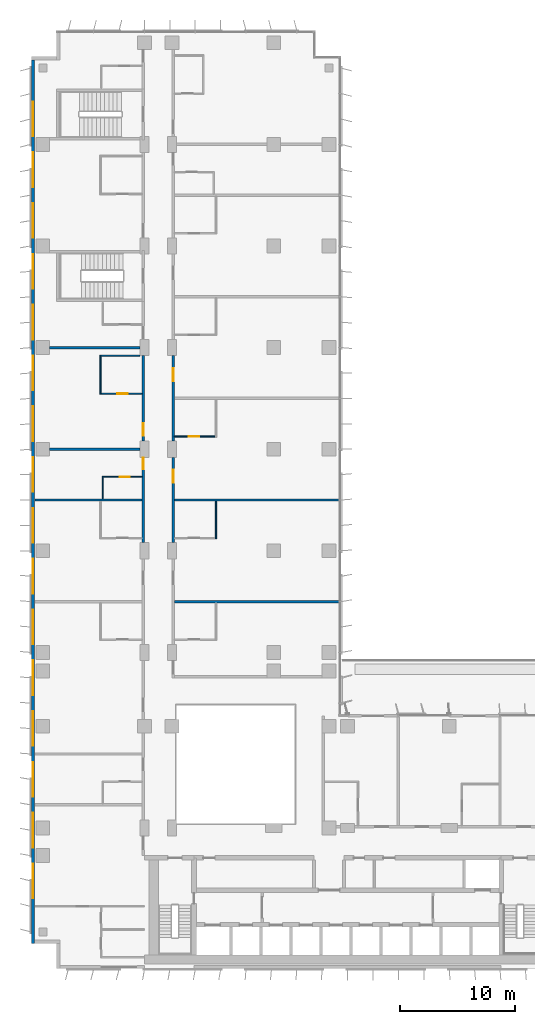
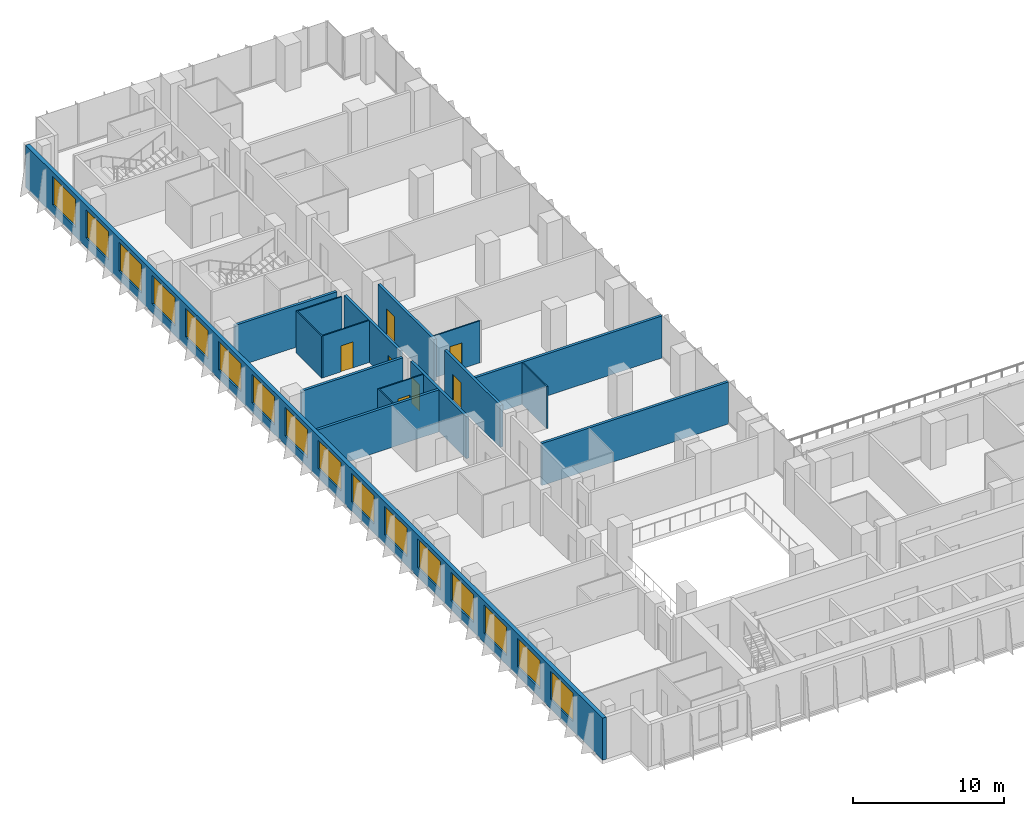
# One storey, part 18 of 27: 17 walls, 16 windows, 7 doors, 23 openings.
"""IFC4 building model written with IfcOpenShell, lengths in metres."""

from ifc_helpers import new_model, si_unit, direction, frame, frame_2d, origin, place, context, subcontext, project, spatial, rectangle, extrude, material, layer, layer_set, type_object, element, fill, save


model = new_model("IFC4")

# Units and contexts
model_context = context("Model", 3, precision=1e-05, world=origin(), true_north=direction((0.0, 1.0)))
body_context = subcontext(model_context, "Body", "Model", "MODEL_VIEW")
ifc_project = project(units=[si_unit("LENGTHUNIT", "METRE"), si_unit("AREAUNIT", "SQUARE_METRE"), si_unit("VOLUMEUNIT", "CUBIC_METRE"), si_unit("PLANEANGLEUNIT", "RADIAN"), si_unit("MASSUNIT", "GRAM", prefix="KILO")], contexts=[model_context])

# Site, building, storey
site_placement = place(None, origin())
site = spatial("IfcSite", under=ifc_project, at=site_placement, CompositionType="ELEMENT")
building_placement = place(site_placement, origin())
building = spatial("IfcBuilding", under=site, at=building_placement, Name="Kemantara Hotel Tower", CompositionType="ELEMENT")
storey_placement = place(building_placement, frame((0.0, 0.0, 83.39990234375)))
storey = spatial("IfcBuildingStorey", under=building, at=storey_placement, Name="L19", CompositionType="ELEMENT", Elevation=83.39990234375)

# Wall, openings, windows
ifc_material_1 = material(Name="Bronze anodised aluminium cladding on insulated steel stud wall", Category="steel")
ifc_layer_1 = layer(ifc_material_1, 0.300048828125)
ifc_layer_set_1 = layer_set([ifc_layer_1], Name="Bronze anodised aluminium cladding on insulated steel stud wall")
wall_type_1 = type_object("IfcWallType", Name="BRONZE METAL-CLAD EXTERNAL WALL 300", PredefinedType="STANDARD", material=ifc_layer_set_1)
wall_1_placement = place(storey_placement, frame((0.14990234375, 78.699951171875, 0.0), z_axis=(0.0, 0.0, 1.0), x_axis=(0.0, -1.0, 0.0)))
wall_1 = element("IfcWall", 1, at=wall_1_placement, inside=storey, type_object=wall_type_1, Name="EXTERNAL WALL L19 T2-R04", PredefinedType="STANDARD", context=body_context, shape_type="SweptSolid", body=[
    extrude(rectangle(XDim=76.5, YDim=0.300048828125, at=frame_2d((38.25, 0.0))), origin(), (0.0, 0.0, 1.0), 3.400146484375),
])
opening_1_placement = place(wall_1_placement, frame((3.60009765625, 0.0, 0.75)))
opening_1 = element("IfcOpeningElement", 2, at=opening_1_placement, cuts=wall_1, Name="Opening W1", PredefinedType="OPENING", context=body_context, shape_type="SweptSolid", body=[
    extrude(rectangle(XDim=3.0, YDim=2.300048828125, at=frame_2d((1.5, 1.14990234375))), frame((0.0, 0.159912109375, 0.0), z_axis=(0.0, -1.0, 0.0), x_axis=(1.0, 0.0, 0.0)), (0.0, 0.0, 1.0), 0.320068359375),
])
opening_2_placement = place(wall_1_placement, frame((8.0, 0.0, 0.75)))
opening_2 = element("IfcOpeningElement", 3, at=opening_2_placement, cuts=wall_1, Name="Opening W1", PredefinedType="OPENING", context=body_context, shape_type="SweptSolid", body=[
    extrude(rectangle(XDim=3.0, YDim=2.300048828125, at=frame_2d((1.5, 1.14990234375))), frame((0.0, 0.159912109375, 0.0), z_axis=(0.0, -1.0, 0.0), x_axis=(1.0, 0.0, 0.0)), (0.0, 0.0, 1.0), 0.320068359375),
])
opening_3_placement = place(wall_1_placement, frame((12.39990234375, 0.0, 0.75)))
opening_3 = element("IfcOpeningElement", 4, at=opening_3_placement, cuts=wall_1, Name="Opening W1", PredefinedType="OPENING", context=body_context, shape_type="SweptSolid", body=[
    extrude(rectangle(XDim=3.0, YDim=2.300048828125, at=frame_2d((1.5, 1.14990234375))), frame((0.0, 0.159912109375, 0.0), z_axis=(0.0, -1.0, 0.0), x_axis=(1.0, 0.0, 0.0)), (0.0, 0.0, 1.0), 0.320068359375),
])
opening_4_placement = place(wall_1_placement, frame((16.800048828125, 0.0, 0.75)))
opening_4 = element("IfcOpeningElement", 5, at=opening_4_placement, cuts=wall_1, Name="Opening W1", PredefinedType="OPENING", context=body_context, shape_type="SweptSolid", body=[
    extrude(rectangle(XDim=3.0, YDim=2.300048828125, at=frame_2d((1.5, 1.14990234375))), frame((0.0, 0.159912109375, 0.0), z_axis=(0.0, -1.0, 0.0), x_axis=(1.0, 0.0, 0.0)), (0.0, 0.0, 1.0), 0.320068359375),
])
opening_5_placement = place(wall_1_placement, frame((21.199951171875, 0.0, 0.75)))
opening_5 = element("IfcOpeningElement", 6, at=opening_5_placement, cuts=wall_1, Name="Opening W1", PredefinedType="OPENING", context=body_context, shape_type="SweptSolid", body=[
    extrude(rectangle(XDim=3.0, YDim=2.300048828125, at=frame_2d((1.5, 1.14990234375))), frame((0.0, 0.159912109375, 0.0), z_axis=(0.0, -1.0, 0.0), x_axis=(1.0, 0.0, 0.0)), (0.0, 0.0, 1.0), 0.320068359375),
])
opening_6_placement = place(wall_1_placement, frame((25.60009765625, 0.0, 0.75)))
opening_6 = element("IfcOpeningElement", 7, at=opening_6_placement, cuts=wall_1, Name="Opening W1", PredefinedType="OPENING", context=body_context, shape_type="SweptSolid", body=[
    extrude(rectangle(XDim=3.0, YDim=2.300048828125, at=frame_2d((1.5, 1.14990234375))), frame((0.0, 0.159912109375, 0.0), z_axis=(0.0, -1.0, 0.0), x_axis=(1.0, 0.0, 0.0)), (0.0, 0.0, 1.0), 0.320068359375),
])
opening_7_placement = place(wall_1_placement, frame((30.0, 0.0, 0.75)))
opening_7 = element("IfcOpeningElement", 8, at=opening_7_placement, cuts=wall_1, Name="Opening W1", PredefinedType="OPENING", context=body_context, shape_type="SweptSolid", body=[
    extrude(rectangle(XDim=3.0, YDim=2.300048828125, at=frame_2d((1.5, 1.14990234375))), frame((0.0, 0.159912109375, 0.0), z_axis=(0.0, -1.0, 0.0), x_axis=(1.0, 0.0, 0.0)), (0.0, 0.0, 1.0), 0.320068359375),
])
opening_8_placement = place(wall_1_placement, frame((34.39990234375, 0.0, 0.75)))
opening_8 = element("IfcOpeningElement", 9, at=opening_8_placement, cuts=wall_1, Name="Opening W1", PredefinedType="OPENING", context=body_context, shape_type="SweptSolid", body=[
    extrude(rectangle(XDim=3.0, YDim=2.300048828125, at=frame_2d((1.5, 1.14990234375))), frame((0.0, 0.159912109375, 0.0), z_axis=(0.0, -1.0, 0.0), x_axis=(1.0, 0.0, 0.0)), (0.0, 0.0, 1.0), 0.320068359375),
])
opening_9_placement = place(wall_1_placement, frame((38.800048828125, 0.0, 0.75)))
opening_9 = element("IfcOpeningElement", 10, at=opening_9_placement, cuts=wall_1, Name="Opening W1", PredefinedType="OPENING", context=body_context, shape_type="SweptSolid", body=[
    extrude(rectangle(XDim=3.0, YDim=2.300048828125, at=frame_2d((1.5, 1.14990234375))), frame((0.0, 0.159912109375, 0.0), z_axis=(0.0, -1.0, 0.0), x_axis=(1.0, 0.0, 0.0)), (0.0, 0.0, 1.0), 0.320068359375),
])
opening_10_placement = place(wall_1_placement, frame((43.199951171875, 0.0, 0.75)))
opening_10 = element("IfcOpeningElement", 11, at=opening_10_placement, cuts=wall_1, Name="Opening W1", PredefinedType="OPENING", context=body_context, shape_type="SweptSolid", body=[
    extrude(rectangle(XDim=3.0, YDim=2.300048828125, at=frame_2d((1.5, 1.14990234375))), frame((0.0, 0.159912109375, 0.0), z_axis=(0.0, -1.0, 0.0), x_axis=(1.0, 0.0, 0.0)), (0.0, 0.0, 1.0), 0.320068359375),
])
opening_11_placement = place(wall_1_placement, frame((47.60009765625, 0.0, 0.75)))
opening_11 = element("IfcOpeningElement", 12, at=opening_11_placement, cuts=wall_1, Name="Opening W1", PredefinedType="OPENING", context=body_context, shape_type="SweptSolid", body=[
    extrude(rectangle(XDim=3.0, YDim=2.300048828125, at=frame_2d((1.5, 1.14990234375))), frame((0.0, 0.159912109375, 0.0), z_axis=(0.0, -1.0, 0.0), x_axis=(1.0, 0.0, 0.0)), (0.0, 0.0, 1.0), 0.320068359375),
])
opening_12_placement = place(wall_1_placement, frame((52.0, 0.0, 0.75)))
opening_12 = element("IfcOpeningElement", 13, at=opening_12_placement, cuts=wall_1, Name="Opening W1", PredefinedType="OPENING", context=body_context, shape_type="SweptSolid", body=[
    extrude(rectangle(XDim=3.0, YDim=2.300048828125, at=frame_2d((1.5, 1.14990234375))), frame((0.0, 0.159912109375, 0.0), z_axis=(0.0, -1.0, 0.0), x_axis=(1.0, 0.0, 0.0)), (0.0, 0.0, 1.0), 0.320068359375),
])
opening_13_placement = place(wall_1_placement, frame((56.39990234375, 0.0, 0.75)))
opening_13 = element("IfcOpeningElement", 14, at=opening_13_placement, cuts=wall_1, Name="Opening W1", PredefinedType="OPENING", context=body_context, shape_type="SweptSolid", body=[
    extrude(rectangle(XDim=3.0, YDim=2.300048828125, at=frame_2d((1.5, 1.14990234375))), frame((0.0, 0.159912109375, 0.0), z_axis=(0.0, -1.0, 0.0), x_axis=(1.0, 0.0, 0.0)), (0.0, 0.0, 1.0), 0.320068359375),
])
opening_14_placement = place(wall_1_placement, frame((60.800048828125, 0.0, 0.75)))
opening_14 = element("IfcOpeningElement", 15, at=opening_14_placement, cuts=wall_1, Name="Opening W1", PredefinedType="OPENING", context=body_context, shape_type="SweptSolid", body=[
    extrude(rectangle(XDim=3.0, YDim=2.300048828125, at=frame_2d((1.5, 1.14990234375))), frame((0.0, 0.159912109375, 0.0), z_axis=(0.0, -1.0, 0.0), x_axis=(1.0, 0.0, 0.0)), (0.0, 0.0, 1.0), 0.320068359375),
])
opening_15_placement = place(wall_1_placement, frame((65.199951171875, 0.0, 0.75)))
opening_15 = element("IfcOpeningElement", 16, at=opening_15_placement, cuts=wall_1, Name="Opening W1", PredefinedType="OPENING", context=body_context, shape_type="SweptSolid", body=[
    extrude(rectangle(XDim=3.0, YDim=2.300048828125, at=frame_2d((1.5, 1.14990234375))), frame((0.0, 0.159912109375, 0.0), z_axis=(0.0, -1.0, 0.0), x_axis=(1.0, 0.0, 0.0)), (0.0, 0.0, 1.0), 0.320068359375),
])
opening_16_placement = place(wall_1_placement, frame((69.60009765625, 0.0, 0.75)))
opening_16 = element("IfcOpeningElement", 17, at=opening_16_placement, cuts=wall_1, Name="Opening W1", PredefinedType="OPENING", context=body_context, shape_type="SweptSolid", body=[
    extrude(rectangle(XDim=3.0, YDim=2.300048828125, at=frame_2d((1.5, 1.14990234375))), frame((0.0, 0.159912109375, 0.0), z_axis=(0.0, -1.0, 0.0), x_axis=(1.0, 0.0, 0.0)), (0.0, 0.0, 1.0), 0.320068359375),
])
ifc_material_2 = material(Name="Low-E tinted double insulated glass in bronze anodised aluminium frame", Category="aluminium")
window_type = type_object("IfcWindowType", Name="CHICAGO WINDOW, TRIPLE PANEL 3000x2300", PartitioningType="TRIPLE_PANEL_VERTICAL", PredefinedType="WINDOW", material=ifc_material_2)
window_1_placement = place(opening_1_placement, origin())
window_1 = element("IfcWindow", 18, at=window_1_placement, inside=storey, type_object=window_type, Name="CHICAGO WINDOW L19 T2-R04-54", OverallHeight=2.300048828125, OverallWidth=3.0, PartitioningType="SINGLE_PANEL", PredefinedType="WINDOW", context=body_context, shape_type="SweptSolid", body=[
    extrude(rectangle(XDim=3.0, YDim=2.300048828125, at=frame_2d((1.5, 1.14990234375))), frame((0.0, 0.030029296875, 0.0), z_axis=(0.0, -1.0, 0.0), x_axis=(1.0, 0.0, 0.0)), (0.0, 0.0, 1.0), 0.06005859375),
])
fill(opening_1, window_1)
window_2_placement = place(opening_2_placement, origin())
window_2 = element("IfcWindow", 19, at=window_2_placement, inside=storey, type_object=window_type, Name="CHICAGO WINDOW L19 T2-R04-98", OverallHeight=2.300048828125, OverallWidth=3.0, PartitioningType="SINGLE_PANEL", PredefinedType="WINDOW", context=body_context, shape_type="SweptSolid", body=[
    extrude(rectangle(XDim=3.0, YDim=2.300048828125, at=frame_2d((1.5, 1.14990234375))), frame((0.0, 0.030029296875, 0.0), z_axis=(0.0, -1.0, 0.0), x_axis=(1.0, 0.0, 0.0)), (0.0, 0.0, 1.0), 0.06005859375),
])
fill(opening_2, window_2)
window_3_placement = place(opening_3_placement, origin())
window_3 = element("IfcWindow", 20, at=window_3_placement, inside=storey, type_object=window_type, Name="CHICAGO WINDOW L19 T2-R04-142", OverallHeight=2.300048828125, OverallWidth=3.0, PartitioningType="SINGLE_PANEL", PredefinedType="WINDOW", context=body_context, shape_type="SweptSolid", body=[
    extrude(rectangle(XDim=3.0, YDim=2.300048828125, at=frame_2d((1.5, 1.14990234375))), frame((0.0, 0.030029296875, 0.0), z_axis=(0.0, -1.0, 0.0), x_axis=(1.0, 0.0, 0.0)), (0.0, 0.0, 1.0), 0.06005859375),
])
fill(opening_3, window_3)
window_4_placement = place(opening_4_placement, origin())
window_4 = element("IfcWindow", 21, at=window_4_placement, inside=storey, type_object=window_type, Name="CHICAGO WINDOW L19 T2-R04-186", OverallHeight=2.300048828125, OverallWidth=3.0, PartitioningType="SINGLE_PANEL", PredefinedType="WINDOW", context=body_context, shape_type="SweptSolid", body=[
    extrude(rectangle(XDim=3.0, YDim=2.300048828125, at=frame_2d((1.5, 1.14990234375))), frame((0.0, 0.030029296875, 0.0), z_axis=(0.0, -1.0, 0.0), x_axis=(1.0, 0.0, 0.0)), (0.0, 0.0, 1.0), 0.06005859375),
])
fill(opening_4, window_4)
window_5_placement = place(opening_5_placement, origin())
window_5 = element("IfcWindow", 22, at=window_5_placement, inside=storey, type_object=window_type, Name="CHICAGO WINDOW L19 T2-R04-230", OverallHeight=2.300048828125, OverallWidth=3.0, PartitioningType="SINGLE_PANEL", PredefinedType="WINDOW", context=body_context, shape_type="SweptSolid", body=[
    extrude(rectangle(XDim=3.0, YDim=2.300048828125, at=frame_2d((1.5, 1.14990234375))), frame((0.0, 0.030029296875, 0.0), z_axis=(0.0, -1.0, 0.0), x_axis=(1.0, 0.0, 0.0)), (0.0, 0.0, 1.0), 0.06005859375),
])
fill(opening_5, window_5)
window_6_placement = place(opening_6_placement, origin())
window_6 = element("IfcWindow", 23, at=window_6_placement, inside=storey, type_object=window_type, Name="CHICAGO WINDOW L19 T2-R04-274", OverallHeight=2.300048828125, OverallWidth=3.0, PartitioningType="SINGLE_PANEL", PredefinedType="WINDOW", context=body_context, shape_type="SweptSolid", body=[
    extrude(rectangle(XDim=3.0, YDim=2.300048828125, at=frame_2d((1.5, 1.14990234375))), frame((0.0, 0.030029296875, 0.0), z_axis=(0.0, -1.0, 0.0), x_axis=(1.0, 0.0, 0.0)), (0.0, 0.0, 1.0), 0.06005859375),
])
fill(opening_6, window_6)
window_7_placement = place(opening_7_placement, origin())
window_7 = element("IfcWindow", 24, at=window_7_placement, inside=storey, type_object=window_type, Name="CHICAGO WINDOW L19 T2-R04-318", OverallHeight=2.300048828125, OverallWidth=3.0, PartitioningType="SINGLE_PANEL", PredefinedType="WINDOW", context=body_context, shape_type="SweptSolid", body=[
    extrude(rectangle(XDim=3.0, YDim=2.300048828125, at=frame_2d((1.5, 1.14990234375))), frame((0.0, 0.030029296875, 0.0), z_axis=(0.0, -1.0, 0.0), x_axis=(1.0, 0.0, 0.0)), (0.0, 0.0, 1.0), 0.06005859375),
])
fill(opening_7, window_7)
window_8_placement = place(opening_8_placement, origin())
window_8 = element("IfcWindow", 25, at=window_8_placement, inside=storey, type_object=window_type, Name="CHICAGO WINDOW L19 T2-R04-362", OverallHeight=2.300048828125, OverallWidth=3.0, PartitioningType="SINGLE_PANEL", PredefinedType="WINDOW", context=body_context, shape_type="SweptSolid", body=[
    extrude(rectangle(XDim=3.0, YDim=2.300048828125, at=frame_2d((1.5, 1.14990234375))), frame((0.0, 0.030029296875, 0.0), z_axis=(0.0, -1.0, 0.0), x_axis=(1.0, 0.0, 0.0)), (0.0, 0.0, 1.0), 0.06005859375),
])
fill(opening_8, window_8)
window_9_placement = place(opening_9_placement, origin())
window_9 = element("IfcWindow", 26, at=window_9_placement, inside=storey, type_object=window_type, Name="CHICAGO WINDOW L19 T2-R04-406", OverallHeight=2.300048828125, OverallWidth=3.0, PartitioningType="SINGLE_PANEL", PredefinedType="WINDOW", context=body_context, shape_type="SweptSolid", body=[
    extrude(rectangle(XDim=3.0, YDim=2.300048828125, at=frame_2d((1.5, 1.14990234375))), frame((0.0, 0.030029296875, 0.0), z_axis=(0.0, -1.0, 0.0), x_axis=(1.0, 0.0, 0.0)), (0.0, 0.0, 1.0), 0.06005859375),
])
fill(opening_9, window_9)
window_10_placement = place(opening_10_placement, origin())
window_10 = element("IfcWindow", 27, at=window_10_placement, inside=storey, type_object=window_type, Name="CHICAGO WINDOW L19 T2-R04-450", OverallHeight=2.300048828125, OverallWidth=3.0, PartitioningType="SINGLE_PANEL", PredefinedType="WINDOW", context=body_context, shape_type="SweptSolid", body=[
    extrude(rectangle(XDim=3.0, YDim=2.300048828125, at=frame_2d((1.5, 1.14990234375))), frame((0.0, 0.030029296875, 0.0), z_axis=(0.0, -1.0, 0.0), x_axis=(1.0, 0.0, 0.0)), (0.0, 0.0, 1.0), 0.06005859375),
])
fill(opening_10, window_10)
window_11_placement = place(opening_11_placement, origin())
window_11 = element("IfcWindow", 28, at=window_11_placement, inside=storey, type_object=window_type, Name="CHICAGO WINDOW L19 T2-R04-494", OverallHeight=2.300048828125, OverallWidth=3.0, PartitioningType="SINGLE_PANEL", PredefinedType="WINDOW", context=body_context, shape_type="SweptSolid", body=[
    extrude(rectangle(XDim=3.0, YDim=2.300048828125, at=frame_2d((1.5, 1.14990234375))), frame((0.0, 0.030029296875, 0.0), z_axis=(0.0, -1.0, 0.0), x_axis=(1.0, 0.0, 0.0)), (0.0, 0.0, 1.0), 0.06005859375),
])
fill(opening_11, window_11)
window_12_placement = place(opening_12_placement, origin())
window_12 = element("IfcWindow", 29, at=window_12_placement, inside=storey, type_object=window_type, Name="CHICAGO WINDOW L19 T2-R04-538", OverallHeight=2.300048828125, OverallWidth=3.0, PartitioningType="SINGLE_PANEL", PredefinedType="WINDOW", context=body_context, shape_type="SweptSolid", body=[
    extrude(rectangle(XDim=3.0, YDim=2.300048828125, at=frame_2d((1.5, 1.14990234375))), frame((0.0, 0.030029296875, 0.0), z_axis=(0.0, -1.0, 0.0), x_axis=(1.0, 0.0, 0.0)), (0.0, 0.0, 1.0), 0.06005859375),
])
fill(opening_12, window_12)
window_13_placement = place(opening_13_placement, origin())
window_13 = element("IfcWindow", 30, at=window_13_placement, inside=storey, type_object=window_type, Name="CHICAGO WINDOW L19 T2-R04-582", OverallHeight=2.300048828125, OverallWidth=3.0, PartitioningType="SINGLE_PANEL", PredefinedType="WINDOW", context=body_context, shape_type="SweptSolid", body=[
    extrude(rectangle(XDim=3.0, YDim=2.300048828125, at=frame_2d((1.5, 1.14990234375))), frame((0.0, 0.030029296875, 0.0), z_axis=(0.0, -1.0, 0.0), x_axis=(1.0, 0.0, 0.0)), (0.0, 0.0, 1.0), 0.06005859375),
])
fill(opening_13, window_13)
window_14_placement = place(opening_14_placement, origin())
window_14 = element("IfcWindow", 31, at=window_14_placement, inside=storey, type_object=window_type, Name="CHICAGO WINDOW L19 T2-R04-626", OverallHeight=2.300048828125, OverallWidth=3.0, PartitioningType="SINGLE_PANEL", PredefinedType="WINDOW", context=body_context, shape_type="SweptSolid", body=[
    extrude(rectangle(XDim=3.0, YDim=2.300048828125, at=frame_2d((1.5, 1.14990234375))), frame((0.0, 0.030029296875, 0.0), z_axis=(0.0, -1.0, 0.0), x_axis=(1.0, 0.0, 0.0)), (0.0, 0.0, 1.0), 0.06005859375),
])
fill(opening_14, window_14)
window_15_placement = place(opening_15_placement, origin())
window_15 = element("IfcWindow", 32, at=window_15_placement, inside=storey, type_object=window_type, Name="CHICAGO WINDOW L19 T2-R04-670", OverallHeight=2.300048828125, OverallWidth=3.0, PartitioningType="SINGLE_PANEL", PredefinedType="WINDOW", context=body_context, shape_type="SweptSolid", body=[
    extrude(rectangle(XDim=3.0, YDim=2.300048828125, at=frame_2d((1.5, 1.14990234375))), frame((0.0, 0.030029296875, 0.0), z_axis=(0.0, -1.0, 0.0), x_axis=(1.0, 0.0, 0.0)), (0.0, 0.0, 1.0), 0.06005859375),
])
fill(opening_15, window_15)
window_16_placement = place(opening_16_placement, origin())
window_16 = element("IfcWindow", 33, at=window_16_placement, inside=storey, type_object=window_type, Name="CHICAGO WINDOW L19 T2-R04-714", OverallHeight=2.300048828125, OverallWidth=3.0, PartitioningType="SINGLE_PANEL", PredefinedType="WINDOW", context=body_context, shape_type="SweptSolid", body=[
    extrude(rectangle(XDim=3.0, YDim=2.300048828125, at=frame_2d((1.5, 1.14990234375))), frame((0.0, 0.030029296875, 0.0), z_axis=(0.0, -1.0, 0.0), x_axis=(1.0, 0.0, 0.0)), (0.0, 0.0, 1.0), 0.06005859375),
])
fill(opening_16, window_16)

# Wall, opening, door
ifc_material_3 = material(Name="Gypsum board partition, steel studs and mineral wool, 200 mm", Category="steel")
ifc_layer_2 = layer(ifc_material_3, 0.199951171875)
ifc_layer_set_2 = layer_set([ifc_layer_2], Name="Gypsum board partition, steel studs and mineral wool, 200 mm")
wall_type_2 = type_object("IfcWallType", Name="CORRIDOR WALL 200", PredefinedType="PARTITIONING", material=ifc_layer_set_2)
wall_2_placement = place(storey_placement, frame((9.699951171875, 36.900146484375, 0.0), z_axis=(0.0, 0.0, 1.0), x_axis=(0.0, 1.0, 0.0)))
wall_2 = element("IfcWall", 34, at=wall_2_placement, inside=storey, type_object=wall_type_2, Name="CORRIDOR WALL 200 018", PredefinedType="PARTITIONING", context=body_context, shape_type="SweptSolid", body=[
    extrude(rectangle(XDim=7.399658203125, YDim=0.199951171875, at=frame_2d((3.69970703125, 0.0))), origin(), (0.0, 0.0, 1.0), 3.400146484375),
])
opening_17_placement = place(wall_2_placement, frame((6.349853515625, 0.0, 0.0)))
opening_17 = element("IfcOpeningElement", 35, at=opening_17_placement, cuts=wall_2, Name="Opening F07-023", PredefinedType="OPENING", context=body_context, shape_type="SweptSolid", body=[
    extrude(rectangle(XDim=1.0, YDim=2.10009765625, at=frame_2d((0.5, 1.050048828125))), frame((0.0, 0.10986328125, 0.0), z_axis=(0.0, -1.0, 0.0), x_axis=(1.0, 0.0, 0.0)), (0.0, 0.0, 1.0), 0.219970703125),
])
ifc_material_4 = material(Name="Hardwood veneer door leaf with steel frame", Category="steel")
door_type_1 = type_object("IfcDoorType", Name="GUEST ROOM DOOR 1000 X 2100 FD30S", OperationType="NOTDEFINED", PredefinedType="DOOR", material=ifc_material_4)
door_1_placement = place(opening_17_placement, origin())
door_1 = element("IfcDoor", 36, at=door_1_placement, inside=storey, type_object=door_type_1, Name="GUEST ROOM DOOR F07-023", OperationType="SINGLE_SWING_RIGHT", OverallHeight=2.10009765625, OverallWidth=1.0, PredefinedType="DOOR", context=body_context, shape_type="SweptSolid", body=[
    extrude(rectangle(XDim=1.0, YDim=2.10009765625, at=frame_2d((0.5, 1.050048828125))), frame((0.0, 0.02490234375, 0.0), z_axis=(0.0, -1.0, 0.0), x_axis=(1.0, 0.0, 0.0)), (0.0, 0.0, 1.0), 0.050048828125),
])
fill(opening_17, door_1)

wall_3_placement = place(storey_placement, frame((9.699951171875, 45.7001953125, 0.0), z_axis=(0.0, 0.0, 1.0), x_axis=(0.0, 1.0, 0.0)))
wall_3 = element("IfcWall", 37, at=wall_3_placement, inside=storey, type_object=wall_type_2, Name="CORRIDOR WALL 200 019", PredefinedType="PARTITIONING", context=body_context, shape_type="SweptSolid", body=[
    extrude(rectangle(XDim=7.399658203125, YDim=0.199951171875, at=frame_2d((3.69970703125, 0.0))), origin(), (0.0, 0.0, 1.0), 3.400146484375),
])
opening_18_placement = place(wall_3_placement, frame((0.449951171875, 0.0, 0.0)))
opening_18 = element("IfcOpeningElement", 38, at=opening_18_placement, cuts=wall_3, Name="Opening F07-025", PredefinedType="OPENING", context=body_context, shape_type="SweptSolid", body=[
    extrude(rectangle(XDim=1.10009765625, YDim=2.10009765625, at=frame_2d((0.550048828125, 1.050048828125))), frame((0.0, 0.10986328125, 0.0), z_axis=(0.0, -1.0, 0.0), x_axis=(1.0, 0.0, 0.0)), (0.0, 0.0, 1.0), 0.219970703125),
])
door_type_2 = type_object("IfcDoorType", Name="SUITE ENTRANCE DOOR 1100 X 2100 FD30S", OperationType="NOTDEFINED", PredefinedType="DOOR", material=ifc_material_4)
door_2_placement = place(opening_18_placement, origin())
door_2 = element("IfcDoor", 39, at=door_2_placement, inside=storey, type_object=door_type_2, Name="SUITE ENTRANCE DOOR F07-025", OperationType="SINGLE_SWING_LEFT", OverallHeight=2.10009765625, OverallWidth=1.10009765625, PredefinedType="DOOR", context=body_context, shape_type="SweptSolid", body=[
    extrude(rectangle(XDim=1.10009765625, YDim=2.10009765625, at=frame_2d((0.550048828125, 1.050048828125))), frame((0.0, 0.02490234375, 0.0), z_axis=(0.0, -1.0, 0.0), x_axis=(1.0, 0.0, 0.0)), (0.0, 0.0, 1.0), 0.050048828125),
])
fill(opening_18, door_2)

wall_4_placement = place(storey_placement, frame((12.300048828125, 44.2998046875, 0.0), z_axis=(0.0, 0.0, 1.0), x_axis=(0.0, -1.0, 0.0)))
wall_4 = element("IfcWall", 40, at=wall_4_placement, inside=storey, type_object=wall_type_2, Name="CORRIDOR WALL 200 033", PredefinedType="PARTITIONING", context=body_context, shape_type="SweptSolid", body=[
    extrude(rectangle(XDim=7.399658203125, YDim=0.199951171875, at=frame_2d((3.69970703125, 0.0))), origin(), (0.0, 0.0, 1.0), 3.400146484375),
])
opening_19_placement = place(wall_4_placement, frame((1.099853515625, 0.0, 0.0)))
opening_19 = element("IfcOpeningElement", 41, at=opening_19_placement, cuts=wall_4, Name="Opening F07-037", PredefinedType="OPENING", context=body_context, shape_type="SweptSolid", body=[
    extrude(rectangle(XDim=1.10009765625, YDim=2.10009765625, at=frame_2d((0.550048828125, 1.050048828125))), frame((0.0, 0.10986328125, 0.0), z_axis=(0.0, -1.0, 0.0), x_axis=(1.0, 0.0, 0.0)), (0.0, 0.0, 1.0), 0.219970703125),
])
door_3_placement = place(opening_19_placement, origin())
door_3 = element("IfcDoor", 42, at=door_3_placement, inside=storey, type_object=door_type_2, Name="SUITE ENTRANCE DOOR F07-037", OperationType="SINGLE_SWING_RIGHT", OverallHeight=2.10009765625, OverallWidth=1.10009765625, PredefinedType="DOOR", context=body_context, shape_type="SweptSolid", body=[
    extrude(rectangle(XDim=1.10009765625, YDim=2.10009765625, at=frame_2d((0.550048828125, 1.050048828125))), frame((0.0, 0.02490234375, 0.0), z_axis=(0.0, -1.0, 0.0), x_axis=(1.0, 0.0, 0.0)), (0.0, 0.0, 1.0), 0.050048828125),
])
fill(opening_19, door_3)

wall_5_placement = place(storey_placement, frame((12.300048828125, 53.099853515625, 0.0), z_axis=(0.0, 0.0, 1.0), x_axis=(0.0, -1.0, 0.0)))
wall_5 = element("IfcWall", 43, at=wall_5_placement, inside=storey, type_object=wall_type_2, Name="CORRIDOR WALL 200 034", PredefinedType="PARTITIONING", context=body_context, shape_type="SweptSolid", body=[
    extrude(rectangle(XDim=7.399658203125, YDim=0.199951171875, at=frame_2d((3.69970703125, 0.0))), origin(), (0.0, 0.0, 1.0), 3.400146484375),
])
opening_20_placement = place(wall_5_placement, frame((1.099853515625, 0.0, 0.0)))
opening_20 = element("IfcOpeningElement", 44, at=opening_20_placement, cuts=wall_5, Name="Opening F07-039", PredefinedType="OPENING", context=body_context, shape_type="SweptSolid", body=[
    extrude(rectangle(XDim=1.10009765625, YDim=2.10009765625, at=frame_2d((0.550048828125, 1.050048828125))), frame((0.0, 0.10986328125, 0.0), z_axis=(0.0, -1.0, 0.0), x_axis=(1.0, 0.0, 0.0)), (0.0, 0.0, 1.0), 0.219970703125),
])
door_4_placement = place(opening_20_placement, origin())
door_4 = element("IfcDoor", 45, at=door_4_placement, inside=storey, type_object=door_type_2, Name="SUITE ENTRANCE DOOR F07-039", OperationType="SINGLE_SWING_RIGHT", OverallHeight=2.10009765625, OverallWidth=1.10009765625, PredefinedType="DOOR", context=body_context, shape_type="SweptSolid", body=[
    extrude(rectangle(XDim=1.10009765625, YDim=2.10009765625, at=frame_2d((0.550048828125, 1.050048828125))), frame((0.0, 0.02490234375, 0.0), z_axis=(0.0, -1.0, 0.0), x_axis=(1.0, 0.0, 0.0)), (0.0, 0.0, 1.0), 0.050048828125),
])
fill(opening_20, door_4)

# Walls
ifc_layer_3 = layer(ifc_material_3, 0.199951171875)
ifc_layer_set_3 = layer_set([ifc_layer_3], Name="Gypsum board partition, steel studs and mineral wool, 200 mm")
wall_type_3 = type_object("IfcWallType", Name="GUEST ROOM PARTY WALL 200", PredefinedType="PARTITIONING", material=ifc_layer_set_3)
wall_6_placement = place(storey_placement, frame((12.39990234375, 31.800048828125, 0.0), z_axis=(0.0, 0.0, 1.0), x_axis=(1.0, 0.0, 0.0)))
element("IfcWall", 46, at=wall_6_placement, inside=storey, type_object=wall_type_3, Name="GUEST ROOM PARTY WALL 200 026", PredefinedType="PARTITIONING", context=body_context, shape_type="SweptSolid", body=[
    extrude(rectangle(XDim=14.27001953125, YDim=0.199951171875, at=frame_2d((7.135009765625, 0.0))), origin(), (0.0, 0.0, 1.0), 3.400146484375),
])
wall_7_placement = place(storey_placement, frame((0.31005859375, 40.60009765625, 0.0), z_axis=(0.0, 0.0, 1.0), x_axis=(1.0, 0.0, 0.0)))
element("IfcWall", 47, at=wall_7_placement, inside=storey, type_object=wall_type_3, Name="GUEST ROOM PARTY WALL 200 027", PredefinedType="PARTITIONING", context=body_context, shape_type="SweptSolid", body=[
    extrude(rectangle(XDim=9.2900390625, YDim=0.199951171875, at=frame_2d((4.64501953125, 0.0))), origin(), (0.0, 0.0, 1.0), 3.400146484375),
])
wall_8_placement = place(storey_placement, frame((12.39990234375, 40.60009765625, 0.0), z_axis=(0.0, 0.0, 1.0), x_axis=(1.0, 0.0, 0.0)))
element("IfcWall", 48, at=wall_8_placement, inside=storey, type_object=wall_type_3, Name="GUEST ROOM PARTY WALL 200 028", PredefinedType="PARTITIONING", context=body_context, shape_type="SweptSolid", body=[
    extrude(rectangle(XDim=14.27001953125, YDim=0.199951171875, at=frame_2d((7.135009765625, 0.0))), origin(), (0.0, 0.0, 1.0), 3.400146484375),
])
for number, where, z_axis, x_axis, name in (
    (49, (1.60009765625, 45.0, 0.0), (0.0, 0.0, 1.0), (1.0, 0.0, 0.0), "GUEST ROOM PARTY WALL 200 029"),
    (50, (1.60009765625, 53.800048828125, 0.0), (0.0, 0.0, 1.0), (1.0, 0.0, 0.0), "GUEST ROOM PARTY WALL 200 030"),
):
    element("IfcWall", number, at=place(storey_placement, frame(where, z_axis=z_axis, x_axis=x_axis)), inside=storey, type_object=wall_type_3, Name=name, PredefinedType="PARTITIONING", context=body_context, shape_type="SweptSolid", body=[
        extrude(rectangle(XDim=7.7998046875, YDim=0.199951171875, at=frame_2d((3.89990234375, 0.0))), origin(), (0.0, 0.0, 1.0), 3.400146484375),
    ])
ifc_material_5 = material(Name="Gypsum board partition on steel studs, 100 mm", Category="steel")
ifc_layer_4 = layer(ifc_material_5, 0.10009765625)
ifc_layer_set_4 = layer_set([ifc_layer_4], Name="Gypsum board partition on steel studs, 100 mm")
wall_type_4 = type_object("IfcWallType", Name="ROOM PARTITION 100", PredefinedType="PARTITIONING", material=ifc_layer_set_4)
wall_9_placement = place(storey_placement, frame((6.199951171875, 40.699951171875, 0.0), z_axis=(0.0, 0.0, 1.0), x_axis=(0.0, 1.0, 0.0)))
element("IfcWall", 51, at=wall_9_placement, inside=storey, type_object=wall_type_4, Name="ROOM PARTITION 100 066", PredefinedType="PARTITIONING", context=body_context, shape_type="SweptSolid", body=[
    extrude(rectangle(XDim=1.949951171875, YDim=0.10009765625, at=frame_2d((0.97509765625, 0.0))), origin(), (0.0, 0.0, 1.0), 3.400146484375),
])
wall_10_placement = place(storey_placement, frame((6.0, 49.75, 0.0), z_axis=(0.0, 0.0, 1.0), x_axis=(0.0, 1.0, 0.0)))
element("IfcWall", 52, at=wall_10_placement, inside=storey, type_object=wall_type_4, Name="ROOM PARTITION 100 070", PredefinedType="PARTITIONING", context=body_context, shape_type="SweptSolid", body=[
    extrude(rectangle(XDim=3.39990234375, YDim=0.10009765625, at=frame_2d((1.699951171875, 0.0))), origin(), (0.0, 0.0, 1.0), 3.400146484375),
])

# Wall, opening, door
wall_11_placement = place(storey_placement, frame((9.60009765625, 42.60009765625, 0.0), z_axis=(0.0, 0.0, 1.0), x_axis=(-1.0, 0.0, 0.0)))
wall_11 = element("IfcWall", 53, at=wall_11_placement, inside=storey, type_object=wall_type_4, Name="ROOM PARTITION 100 076", PredefinedType="PARTITIONING", context=body_context, shape_type="SweptSolid", body=[
    extrude(rectangle(XDim=3.35009765625, YDim=0.10009765625, at=frame_2d((1.675048828125, 0.0))), origin(), (0.0, 0.0, 1.0), 3.400146484375),
])
opening_21_placement = place(wall_11_placement, frame((1.050048828125, 0.0, 0.0)))
opening_21 = element("IfcOpeningElement", 54, at=opening_21_placement, cuts=wall_11, Name="Opening F07-024", PredefinedType="OPENING", context=body_context, shape_type="SweptSolid", body=[
    extrude(rectangle(XDim=0.89990234375, YDim=2.10009765625, at=frame_2d((0.449951171875, 1.050048828125))), frame((0.0, 0.06005859375, 0.0), z_axis=(0.0, -1.0, 0.0), x_axis=(1.0, 0.0, 0.0)), (0.0, 0.0, 1.0), 0.1201171875),
])
door_type_3 = type_object("IfcDoorType", Name="BATHROOM DOOR 900 X 2100", OperationType="NOTDEFINED", PredefinedType="DOOR", material=ifc_material_4)
door_5_placement = place(opening_21_placement, origin())
door_5 = element("IfcDoor", 55, at=door_5_placement, inside=storey, type_object=door_type_3, Name="BATHROOM DOOR F07-024", OperationType="SINGLE_SWING_LEFT", OverallHeight=2.10009765625, OverallWidth=0.89990234375, PredefinedType="DOOR", context=body_context, shape_type="SweptSolid", body=[
    extrude(rectangle(XDim=0.89990234375, YDim=2.10009765625, at=frame_2d((0.449951171875, 1.050048828125))), frame((0.0, 0.02490234375, 0.0), z_axis=(0.0, -1.0, 0.0), x_axis=(1.0, 0.0, 0.0)), (0.0, 0.0, 1.0), 0.050048828125),
])
fill(opening_21, door_5)

wall_12_placement = place(storey_placement, frame((6.050048828125, 49.800048828125, 0.0), z_axis=(0.0, 0.0, 1.0), x_axis=(1.0, 0.0, 0.0)))
wall_12 = element("IfcWall", 56, at=wall_12_placement, inside=storey, type_object=wall_type_4, Name="ROOM PARTITION 100 077", PredefinedType="PARTITIONING", context=body_context, shape_type="SweptSolid", body=[
    extrude(rectangle(XDim=3.550048828125, YDim=0.10009765625, at=frame_2d((1.77490234375, 0.0))), origin(), (0.0, 0.0, 1.0), 3.400146484375),
])
opening_22_placement = place(wall_12_placement, frame((1.39990234375, 0.0, 0.0)))
opening_22 = element("IfcOpeningElement", 57, at=opening_22_placement, cuts=wall_12, Name="Opening F07-026", PredefinedType="OPENING", context=body_context, shape_type="SweptSolid", body=[
    extrude(rectangle(XDim=0.89990234375, YDim=2.10009765625, at=frame_2d((0.449951171875, 1.050048828125))), frame((0.0, 0.06005859375, 0.0), z_axis=(0.0, -1.0, 0.0), x_axis=(1.0, 0.0, 0.0)), (0.0, 0.0, 1.0), 0.1201171875),
])
door_6_placement = place(opening_22_placement, origin())
door_6 = element("IfcDoor", 58, at=door_6_placement, inside=storey, type_object=door_type_3, Name="BATHROOM DOOR F07-026", OperationType="SINGLE_SWING_RIGHT", OverallHeight=2.10009765625, OverallWidth=0.89990234375, PredefinedType="DOOR", context=body_context, shape_type="SweptSolid", body=[
    extrude(rectangle(XDim=0.89990234375, YDim=2.10009765625, at=frame_2d((0.449951171875, 1.050048828125))), frame((0.0, 0.02490234375, 0.0), z_axis=(0.0, -1.0, 0.0), x_axis=(1.0, 0.0, 0.0)), (0.0, 0.0, 1.0), 0.050048828125),
])
fill(opening_22, door_6)

# Walls
wall_13_placement = place(storey_placement, frame((6.050048828125, 53.10009765625, 0.0), z_axis=(0.0, 0.0, 1.0), x_axis=(1.0, 0.0, 0.0)))
element("IfcWall", 59, at=wall_13_placement, inside=storey, type_object=wall_type_4, Name="ROOM PARTITION 100 078", PredefinedType="PARTITIONING", context=body_context, shape_type="SweptSolid", body=[
    extrude(rectangle(XDim=3.349853515625, YDim=0.10009765625, at=frame_2d((1.6748046875, 0.0))), origin(), (0.0, 0.0, 1.0), 3.400146484375),
])
wall_14_placement = place(storey_placement, frame((16.0, 37.25, 0.0), z_axis=(0.0, 0.0, 1.0), x_axis=(0.0, 1.0, 0.0)))
element("IfcWall", 60, at=wall_14_placement, inside=storey, type_object=wall_type_4, Name="ROOM PARTITION 100 084", PredefinedType="PARTITIONING", context=body_context, shape_type="SweptSolid", body=[
    extrude(rectangle(XDim=3.25, YDim=0.10009765625, at=frame_2d((1.625, 0.0))), origin(), (0.0, 0.0, 1.0), 3.400146484375),
])

# Wall, opening, door
wall_15_placement = place(storey_placement, frame((12.39990234375, 46.10009765625, 0.0), z_axis=(0.0, 0.0, 1.0), x_axis=(1.0, 0.0, 0.0)))
wall_15 = element("IfcWall", 61, at=wall_15_placement, inside=storey, type_object=wall_type_4, Name="ROOM PARTITION 100 088", PredefinedType="PARTITIONING", context=body_context, shape_type="SweptSolid", body=[
    extrude(rectangle(XDim=3.550048828125, YDim=0.10009765625, at=frame_2d((1.77490234375, 0.0))), origin(), (0.0, 0.0, 1.0), 3.400146484375),
])
opening_23_placement = place(wall_15_placement, frame((1.25, 0.0, 0.0)))
opening_23 = element("IfcOpeningElement", 62, at=opening_23_placement, cuts=wall_15, Name="Opening F07-038", PredefinedType="OPENING", context=body_context, shape_type="SweptSolid", body=[
    extrude(rectangle(XDim=0.89990234375, YDim=2.10009765625, at=frame_2d((0.449951171875, 1.050048828125))), frame((0.0, 0.06005859375, 0.0), z_axis=(0.0, -1.0, 0.0), x_axis=(1.0, 0.0, 0.0)), (0.0, 0.0, 1.0), 0.1201171875),
])
door_7_placement = place(opening_23_placement, origin())
door_7 = element("IfcDoor", 63, at=door_7_placement, inside=storey, type_object=door_type_3, Name="BATHROOM DOOR F07-038", OperationType="SINGLE_SWING_LEFT", OverallHeight=2.10009765625, OverallWidth=0.89990234375, PredefinedType="DOOR", context=body_context, shape_type="SweptSolid", body=[
    extrude(rectangle(XDim=0.89990234375, YDim=2.10009765625, at=frame_2d((0.449951171875, 1.050048828125))), frame((0.0, 0.02490234375, 0.0), z_axis=(0.0, -1.0, 0.0), x_axis=(1.0, 0.0, 0.0)), (0.0, 0.0, 1.0), 0.050048828125),
])
fill(opening_23, door_7)

save(model, "model.ifc")
